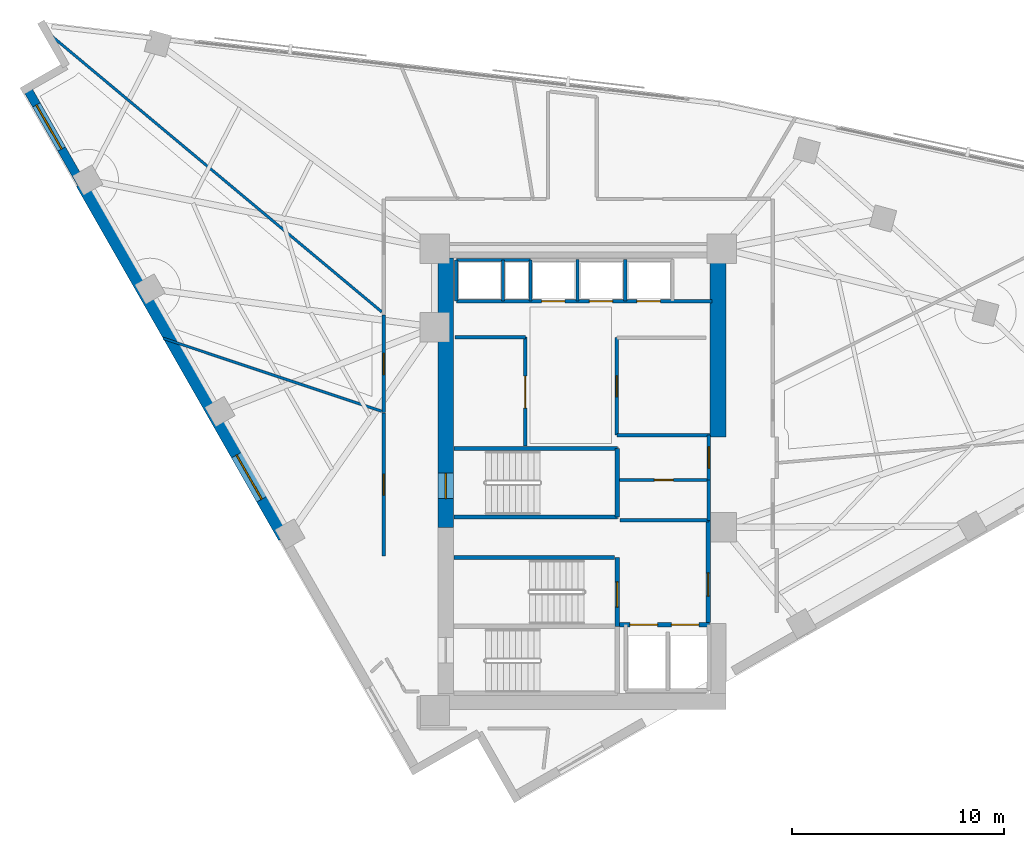
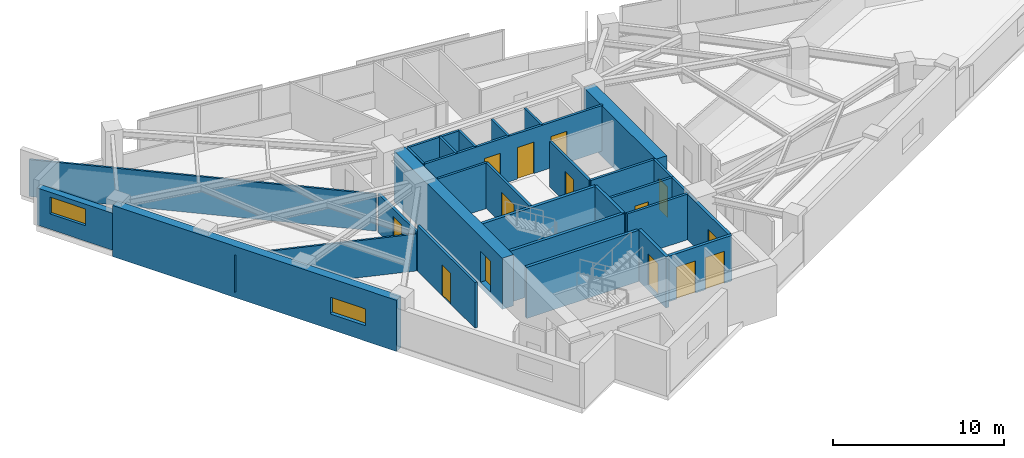
# One storey, part 9 of 13: 30 walls, 14 doors, 2 windows, 16 openings.
"""IFC4 building model written with IfcOpenShell, lengths in metres."""

import ifcopenshell
import ifcopenshell.guid

model = None  # the IFC model being written
_history = None  # IfcOwnerHistory: only IFC2X3 demands one
_inside = {}  # id of a spatial element -> (the spatial element, [elements in it])
_under = {}  # id of a project, library or spatial element -> (it, [spatial elements below it])
_declared = {}  # id of a project -> (the project, [libraries it declares])
_typed = {}  # id of a type object -> (the type object, [elements of that type])
_made_of = {}  # id of a material, layer set ... -> (it, [elements and type objects made of it])


def new_model(schema):
    """Start an empty IFC model of exactly this schema.

    Asked for "IFC4X3", IfcOpenShell would pick the latest addendum, in which some entities
    have other attributes; the version numbers below select the first issue.
    IFC2X3 requires an IfcOwnerHistory on every rooted entity: one is made here for all.
    """
    global model, _history
    if schema == "IFC4X3":
        model = ifcopenshell.file(schema_version=(4, 3, 0, 0))
    else:
        model = ifcopenshell.file(schema=schema)
    _inside.clear()
    _under.clear()
    _declared.clear()
    _typed.clear()
    _made_of.clear()
    _history = None
    if model.schema == "IFC2X3":
        org = make("IfcOrganization", Name="unknown")
        user = make(
            "IfcPersonAndOrganization",
            ThePerson=make("IfcPerson", FamilyName="unknown"),
            TheOrganization=org,
        )
        app = make(
            "IfcApplication",
            ApplicationDeveloper=org,
            Version="unknown",
            ApplicationFullName="unknown",
            ApplicationIdentifier="unknown",
        )
        _history = make(
            "IfcOwnerHistory",
            OwningUser=user,
            OwningApplication=app,
            ChangeAction="ADDED",
            CreationDate=0,
        )
    return model


def make(cls, **values):
    """One entity of the class cls with the attributes given. An attribute that is None is left unset."""
    return model.create_entity(
        cls, **{name: value for name, value in values.items() if value is not None}
    )


def rooted(cls, **values):
    """An entity with a GlobalId (a new one), such as an element, a storey or a relation."""
    return make(cls, GlobalId=ifcopenshell.guid.new(), OwnerHistory=_history, **values)


def si_unit(unit_type, name, prefix=None):
    """IfcSIUnit, for example si_unit("LENGTHUNIT", "METRE", prefix="MILLI")."""
    return make("IfcSIUnit", UnitType=unit_type, Prefix=prefix, Name=name)


def assignment(units):
    """IfcUnitAssignment: the units of a project."""
    return None if units is None else make("IfcUnitAssignment", Units=units)


def point(xyz):
    """IfcCartesianPoint."""
    return None if xyz is None else make("IfcCartesianPoint", Coordinates=xyz)


def direction(xyz):
    """IfcDirection."""
    return None if xyz is None else make("IfcDirection", DirectionRatios=xyz)


def frame(location, z_axis=None, x_axis=None):
    """IfcAxis2Placement3D, a coordinate frame: its origin and axes. An axis left out is left unset."""
    return make(
        "IfcAxis2Placement3D",
        Location=point(location),
        Axis=direction(z_axis),
        RefDirection=direction(x_axis),
    )


def frame_2d(location, x_axis=None):
    """IfcAxis2Placement2D, a coordinate frame in the plane: its origin and x axis."""
    return make(
        "IfcAxis2Placement2D", Location=point(location), RefDirection=direction(x_axis)
    )


def origin():
    """The frame at (0, 0, 0) with its axes left unset."""
    return frame((0.0, 0.0, 0.0))


def place(relative_to, where):
    """IfcLocalPlacement: puts the frame where relative to a parent placement (None: the world)."""
    return make(
        "IfcLocalPlacement", PlacementRelTo=relative_to, RelativePlacement=where
    )


def context(
    kind, dimensions, precision=None, world=None, true_north=None, identifier=None
):
    """IfcGeometricRepresentationContext, for example the 3D "Model" context."""
    return make(
        "IfcGeometricRepresentationContext",
        ContextIdentifier=identifier,
        ContextType=kind,
        CoordinateSpaceDimension=dimensions,
        Precision=precision,
        WorldCoordinateSystem=world,
        TrueNorth=true_north,
    )


def subcontext(parent, identifier, kind, view, scale=None):
    """IfcGeometricRepresentationSubContext, for example "Body" below "Model"."""
    return make(
        "IfcGeometricRepresentationSubContext",
        ContextIdentifier=identifier,
        ContextType=kind,
        ParentContext=parent,
        TargetScale=scale,
        TargetView=view,
    )


def project(units=None, contexts=None):
    """IfcProject with its units and contexts."""
    return rooted(
        "IfcProject",
        Name="project",
        RepresentationContexts=contexts,
        UnitsInContext=assignment(units),
    )


def spatial(cls, under=None, at=None, **own):
    """A site, building, storey or space (cls), placed at a placement, below another one or the project."""
    s = rooted(cls, ObjectPlacement=at, **own)
    if under is not None:
        _under.setdefault(under.id(), (under, []))[1].append(s)
    return s


def profile(cls, at=None, kind="AREA", **sizes):
    """A parametric profile (cls). Its sizes go by their IFC names, for example OverallWidth=200.0."""
    return make(cls, ProfileType=kind, Position=at, **sizes)


def rectangle(**sizes):
    """IfcRectangleProfileDef."""
    return profile("IfcRectangleProfileDef", **sizes)


def extrude(swept, where, along, depth):
    """IfcExtrudedAreaSolid: the profile swept, set in the frame where, extruded along a direction by depth."""
    return make(
        "IfcExtrudedAreaSolid",
        SweptArea=swept,
        Position=where,
        ExtrudedDirection=direction(along),
        Depth=depth,
    )


def shape(context_of_items, identifier, shape_type, items):
    """IfcShapeRepresentation: the items that make up one representation, for example the "Body"."""
    return make(
        "IfcShapeRepresentation",
        ContextOfItems=context_of_items,
        RepresentationIdentifier=identifier,
        RepresentationType=shape_type,
        Items=items,
    )


def material(Name=None, Category=None):
    """IfcMaterial."""
    return make("IfcMaterial", Name=Name, Category=Category)


def layer(
    of_material, thickness, ventilated=None, Name=None, Category=None, Priority=None
):
    """IfcMaterialLayer: one layer of a wall or slab, of a material (None: an air gap)."""
    return make(
        "IfcMaterialLayer",
        Material=of_material,
        LayerThickness=thickness,
        IsVentilated=ventilated,
        Name=Name,
        Category=Category,
        Priority=Priority,
    )


def layer_set(layers, Name=None):
    """IfcMaterialLayerSet."""
    return make("IfcMaterialLayerSet", MaterialLayers=layers, LayerSetName=Name)


def made_of(thing, what):
    """Note that an element or type object is made of a material, layer set ...; save() writes the relation."""
    if what is not None:
        _made_of.setdefault(what.id(), (what, []))[1].append(thing)
    return thing


def type_object(cls, material=None, **own):
    """A type object (cls), such as IfcWallType, which elements share."""
    return made_of(rooted(cls, **own), material)


def element(
    cls,
    number,
    at=None,
    inside=None,
    cuts=None,
    type_object=None,
    material=None,
    context=None,
    identifier="Body",
    shape_type=None,
    held_by="IfcProductDefinitionShape",
    body=None,
    shapes=None,
    **own,
):
    """One element of the class cls, such as IfcWall. Its Tag is "e" and its number.

    at: its placement. inside: the storey or other place that contains it. cuts: it is an
    opening in that element (IfcRelVoidsElement). A single representation is given by context,
    identifier, shape_type and body (its items); several are given by shapes. held_by: the class
    of the entity that holds the representations. save() writes the other relations.
    """
    e = rooted(cls, Tag="e%d" % number, ObjectPlacement=at, **own)
    if body is not None:
        shapes = [shape(context, identifier, shape_type, body)]
    if shapes is not None:
        e.Representation = make(held_by, Representations=shapes)
    if inside is not None:
        _inside.setdefault(inside.id(), (inside, []))[1].append(e)
    if cuts is not None:
        rooted(
            "IfcRelVoidsElement", RelatingBuildingElement=cuts, RelatedOpeningElement=e
        )
    if type_object is not None:
        _typed.setdefault(type_object.id(), (type_object, []))[1].append(e)
    return made_of(e, material)


def fill(opening, filler):
    """IfcRelFillsElement: the door or window that sits in an opening."""
    return rooted(
        "IfcRelFillsElement",
        RelatingOpeningElement=opening,
        RelatedBuildingElement=filler,
    )


def aggregate(whole, parts):
    """IfcRelAggregates: a whole, such as a stair, and the parts it consists of."""
    return rooted("IfcRelAggregates", RelatingObject=whole, RelatedObjects=parts)


def save(model, path):
    """Write the relations noted so far, then the file.

    IfcRelAggregates (storeys below a building ...), IfcRelContainedInSpatialStructure (elements
    in a storey), IfcRelDefinesByType, IfcRelAssociatesMaterial and IfcRelDeclares: one each for
    every whole, place, type object, material and project.
    """
    for whole, parts in _under.values():
        aggregate(whole, parts)
    for where, things in _inside.values():
        rooted(
            "IfcRelContainedInSpatialStructure",
            RelatedElements=things,
            RelatingStructure=where,
        )
    for kind, things in _typed.values():
        rooted("IfcRelDefinesByType", RelatedObjects=things, RelatingType=kind)
    for what, things in _made_of.values():
        rooted("IfcRelAssociatesMaterial", RelatedObjects=things, RelatingMaterial=what)
    for by, libraries in _declared.values():
        rooted("IfcRelDeclares", RelatingContext=by, RelatedDefinitions=libraries)
    model.write(path)


model = new_model("IFC4")

# Units and contexts
model_context = context("Model", 3, precision=1e-05, world=origin(), true_north=direction((0.0, 1.0)))
body_context = subcontext(model_context, "Body", "Model", "MODEL_VIEW")
ifc_project = project(units=[si_unit("LENGTHUNIT", "METRE"), si_unit("AREAUNIT", "SQUARE_METRE"), si_unit("VOLUMEUNIT", "CUBIC_METRE"), si_unit("PLANEANGLEUNIT", "RADIAN"), si_unit("MASSUNIT", "GRAM", prefix="KILO")], contexts=[model_context])

# Site, building, storey
site_placement = place(None, origin())
site = spatial("IfcSite", under=ifc_project, at=site_placement, CompositionType="ELEMENT")
building_placement = place(site_placement, origin())
building = spatial("IfcBuilding", under=site, at=building_placement, Name="Narakoshi Arena Tower", CompositionType="ELEMENT")
storey_placement = place(building_placement, frame((0.0, 0.0, 200.89990234375)))
storey = spatial("IfcBuildingStorey", under=building, at=storey_placement, Name="L54", CompositionType="ELEMENT", Elevation=200.89990234375)

# Wall, opening, door
ifc_material_1 = material(Name="Concrete C50/60", Category="concrete")
ifc_layer_1 = layer(ifc_material_1, 0.75)
ifc_layer_set_1 = layer_set([ifc_layer_1], Name="Concrete C50/60")
wall_type_1 = type_object("IfcWallType", Name="WL-CORE-750", PredefinedType="SHEAR", material=ifc_layer_set_1)
wall_1_placement = place(storey_placement, frame((72.52490234375, 43.35009765625, -0.39990234375), z_axis=(0.0, 0.0, 1.0), x_axis=(0.0, 1.0, 0.0)))
wall_1 = element("IfcWall", 1, at=wall_1_placement, inside=storey, type_object=wall_type_1, Name="L54 Main Core Shear Wall CW-MN-W", PredefinedType="SHEAR", context=body_context, shape_type="SweptSolid", body=[
    extrude(rectangle(XDim=12.699951171875, YDim=0.75, at=frame_2d((6.35009765625, 0.0))), origin(), (0.0, 0.0, 1.0), 3.659912109375),
])
opening_1_placement = place(wall_1_placement, frame((1.35009765625, 0.0, 0.39990234375)))
opening_1 = element("IfcOpeningElement", 2, at=opening_1_placement, cuts=wall_1, Name="Opening D-03", PredefinedType="OPENING", context=body_context, shape_type="SweptSolid", body=[
    extrude(rectangle(XDim=1.199951171875, YDim=2.199951171875, at=frame_2d((0.60009765625, 1.10009765625))), frame((0.0, 0.385009765625, 0.0), z_axis=(0.0, -1.0, 0.0), x_axis=(1.0, 0.0, 0.0)), (0.0, 0.0, 1.0), 0.77001953125),
])
ifc_material_2 = material(Name="Painted galvanized steel", Category="steel")
door_type_1 = type_object("IfcDoorType", Name="DR-STR-1200", OperationType="NOTDEFINED", PredefinedType="USERDEFINED", material=ifc_material_2)
door_1_placement = place(opening_1_placement, frame((1.199951171875, 0.0, 0.0), z_axis=(0.0, 0.0, 1.0), x_axis=(-1.0, 0.0, 0.0)))
door_1 = element("IfcDoor", 3, at=door_1_placement, inside=storey, type_object=door_type_1, Name="DR-L54-006", ObjectType="EXITDOOR", OperationType="SINGLE_SWING_LEFT", OverallHeight=2.199951171875, OverallWidth=1.199951171875, PredefinedType="USERDEFINED", context=body_context, shape_type="SweptSolid", body=[
    extrude(rectangle(XDim=1.199951171875, YDim=2.199951171875, at=frame_2d((0.60009765625, 1.10009765625))), frame((0.0, 0.02490234375, 0.0), z_axis=(0.0, -1.0, 0.0), x_axis=(1.0, 0.0, 0.0)), (0.0, 0.0, 1.0), 0.050048828125),
])
fill(opening_1, door_1)

# Wall
wall_2_placement = place(storey_placement, frame((85.375, 47.60009765625, -0.39990234375), z_axis=(0.0, 0.0, 1.0), x_axis=(0.0, 1.0, 0.0)))
element("IfcWall", 4, at=wall_2_placement, inside=storey, type_object=wall_type_1, Name="L54 Main Core Shear Wall CW-MN-E", PredefinedType="SHEAR", context=body_context, shape_type="SweptSolid", body=[
    extrude(rectangle(XDim=8.449951171875, YDim=0.75, at=frame_2d((4.22509765625, 0.0))), origin(), (0.0, 0.0, 1.0), 3.659912109375),
])

# Wall, opening, door
ifc_material_3 = material(Name="Gypsum plasterboard fire-rated partition")
ifc_layer_2 = layer(ifc_material_3, 0.1650390625)
ifc_layer_set_2 = layer_set([ifc_layer_2], Name="Gypsum plasterboard fire-rated partition")
wall_type_2 = type_object("IfcWallType", Name="WL-CORR-165", PredefinedType="PARTITIONING", material=ifc_layer_set_2)
wall_3_placement = place(storey_placement, frame((84.949951171875, 45.580078125, 0.0), z_axis=(0.0, 0.0, 1.0), x_axis=(0.0, 1.0, 0.0)))
wall_3 = element("IfcWall", 5, at=wall_3_placement, inside=storey, type_object=wall_type_2, Name="L54 Core Wall CPAS-E", PredefinedType="PARTITIONING", context=body_context, shape_type="SweptSolid", body=[
    extrude(rectangle(XDim=2.119873046875, YDim=0.1650390625, at=frame_2d((1.06005859375, 0.0))), origin(), (0.0, 0.0, 1.0), 3.260009765625),
])
opening_2_placement = place(wall_3_placement, frame((0.56005859375, 0.0, 0.0)))
opening_2 = element("IfcOpeningElement", 6, at=opening_2_placement, cuts=wall_3, Name="Opening D-06", PredefinedType="OPENING", context=body_context, shape_type="SweptSolid", body=[
    extrude(rectangle(XDim=1.0, YDim=2.199951171875, at=frame_2d((0.5, 1.10009765625))), frame((0.0, 0.092529296875, 0.0), z_axis=(0.0, -1.0, 0.0), x_axis=(1.0, 0.0, 0.0)), (0.0, 0.0, 1.0), 0.18505859375),
])
ifc_material_4 = material(Name="Stained oak solid-core timber", Category="wood")
door_type_2 = type_object("IfcDoorType", Name="DR-OFF-1000", OperationType="NOTDEFINED", PredefinedType="DOOR", material=ifc_material_4)
door_2_placement = place(opening_2_placement, frame((1.0, 0.0, 0.0), z_axis=(0.0, 0.0, 1.0), x_axis=(-1.0, 0.0, 0.0)))
door_2 = element("IfcDoor", 7, at=door_2_placement, inside=storey, type_object=door_type_2, Name="DR-L54-007", OperationType="SINGLE_SWING_LEFT", OverallHeight=2.199951171875, OverallWidth=1.0, PredefinedType="DOOR", context=body_context, shape_type="SweptSolid", body=[
    extrude(rectangle(XDim=1.0, YDim=2.199951171875, at=frame_2d((0.5, 1.10009765625))), frame((0.0, 0.02490234375, 0.0), z_axis=(0.0, -1.0, 0.0), x_axis=(1.0, 0.0, 0.0)), (0.0, 0.0, 1.0), 0.050048828125),
])
fill(opening_2, door_2)

wall_4_placement = place(storey_placement, frame((69.594482421875, 53.3623046875, 0.0), z_axis=(0.0, 0.0, 1.0), x_axis=(0.0, -1.0, 0.0)))
wall_4 = element("IfcWall", 8, at=wall_4_placement, inside=storey, type_object=wall_type_2, Name="L54 Corridor Partition 08-1", PredefinedType="PARTITIONING", context=body_context, shape_type="SweptSolid", body=[
    extrude(rectangle(XDim=4.603515625, YDim=0.1650390625, at=frame_2d((2.3017578125, 0.0))), origin(), (0.0, 0.0, 1.0), 2.7451171875),
])
opening_3_placement = place(wall_4_placement, frame((1.8017578125, 0.0, 0.0)))
opening_3 = element("IfcOpeningElement", 9, at=opening_3_placement, cuts=wall_4, Name="Opening D-06", PredefinedType="OPENING", context=body_context, shape_type="SweptSolid", body=[
    extrude(rectangle(XDim=1.0, YDim=2.199951171875, at=frame_2d((0.5, 1.10009765625))), frame((0.0, 0.092529296875, 0.0), z_axis=(0.0, -1.0, 0.0), x_axis=(1.0, 0.0, 0.0)), (0.0, 0.0, 1.0), 0.18505859375),
])
door_3_placement = place(opening_3_placement, frame((1.0, 0.0, 0.0), z_axis=(0.0, 0.0, 1.0), x_axis=(-1.0, 0.0, 0.0)))
door_3 = element("IfcDoor", 10, at=door_3_placement, inside=storey, type_object=door_type_2, Name="DR-L54-021", OperationType="SINGLE_SWING_LEFT", OverallHeight=2.199951171875, OverallWidth=1.0, PredefinedType="DOOR", context=body_context, shape_type="SweptSolid", body=[
    extrude(rectangle(XDim=1.0, YDim=2.199951171875, at=frame_2d((0.5, 1.10009765625))), frame((0.0, 0.02490234375, 0.0), z_axis=(0.0, -1.0, 0.0), x_axis=(1.0, 0.0, 0.0)), (0.0, 0.0, 1.0), 0.050048828125),
])
fill(opening_3, door_3)

wall_5_placement = place(storey_placement, frame((69.594482421875, 48.7333984375, 0.0), z_axis=(0.0, 0.0, 1.0), x_axis=(0.0, -1.0, 0.0)))
wall_5 = element("IfcWall", 11, at=wall_5_placement, inside=storey, type_object=wall_type_2, Name="L54 Corridor Partition 09-1", PredefinedType="PARTITIONING", context=body_context, shape_type="SweptSolid", body=[
    extrude(rectangle(XDim=6.739013671875, YDim=0.1650390625, at=frame_2d((3.36962890625, 0.0))), origin(), (0.0, 0.0, 1.0), 3.260009765625),
])
opening_4_placement = place(wall_5_placement, frame((2.869384765625, 0.0, 0.0)))
opening_4 = element("IfcOpeningElement", 12, at=opening_4_placement, cuts=wall_5, Name="Opening D-06", PredefinedType="OPENING", context=body_context, shape_type="SweptSolid", body=[
    extrude(rectangle(XDim=1.0, YDim=2.199951171875, at=frame_2d((0.5, 1.10009765625))), frame((0.0, 0.092529296875, 0.0), z_axis=(0.0, -1.0, 0.0), x_axis=(1.0, 0.0, 0.0)), (0.0, 0.0, 1.0), 0.18505859375),
])
door_4_placement = place(opening_4_placement, frame((1.0, 0.0, 0.0), z_axis=(0.0, 0.0, 1.0), x_axis=(-1.0, 0.0, 0.0)))
door_4 = element("IfcDoor", 13, at=door_4_placement, inside=storey, type_object=door_type_2, Name="DR-L54-022", OperationType="SINGLE_SWING_RIGHT", OverallHeight=2.199951171875, OverallWidth=1.0, PredefinedType="DOOR", context=body_context, shape_type="SweptSolid", body=[
    extrude(rectangle(XDim=1.0, YDim=2.199951171875, at=frame_2d((0.5, 1.10009765625))), frame((0.0, 0.02490234375, 0.0), z_axis=(0.0, -1.0, 0.0), x_axis=(1.0, 0.0, 0.0)), (0.0, 0.0, 1.0), 0.050048828125),
])
fill(opening_4, door_4)

# Wall, opening, window
ifc_layer_3 = layer(ifc_material_1, 0.550048828125)
ifc_layer_set_3 = layer_set([ifc_layer_3], Name="Concrete C50/60")
wall_type_3 = type_object("IfcWallType", Name="WL-LEG-550", PredefinedType="SHEAR", material=ifc_layer_set_3)
wall_6_placement = place(storey_placement, frame((55.3251953125, 59.5703125, -0.39990234375), z_axis=(0.0, 0.0, 1.0), x_axis=(0.496211351597, -0.868201759124, 0.0)))
wall_6 = element("IfcWall", 14, at=wall_6_placement, inside=storey, type_object=wall_type_3, Name="L54 Architectural Concrete Structural Wall LEGB-2", PredefinedType="SHEAR", context=body_context, shape_type="SweptSolid", body=[
    extrude(rectangle(XDim=19.242919921875, YDim=0.550048828125, at=frame_2d((9.62158203125, 0.0))), origin(), (0.0, 0.0, 1.0), 3.659912109375),
])
opening_5_placement = place(wall_6_placement, frame((14.7568359375, 0.0, 1.10009765625)))
opening_5 = element("IfcOpeningElement", 15, at=opening_5_placement, cuts=wall_6, Name="Opening WN-04", PredefinedType="OPENING", context=body_context, shape_type="SweptSolid", body=[
    extrude(rectangle(XDim=2.39990234375, YDim=1.199951171875, at=frame_2d((1.199951171875, 0.60009765625))), frame((0.0, 0.284912109375, 0.0), z_axis=(0.0, -1.0, 0.0), x_axis=(1.0, 0.0, 0.0)), (0.0, 0.0, 1.0), 0.570068359375),
])
ifc_material_5 = material(Name="Bronze-tinted low-E laminated glass", Category="glass")
window_type = type_object("IfcWindowType", Name="WIN-SLT-24x12", PartitioningType="SINGLE_PANEL", PredefinedType="WINDOW", material=ifc_material_5)
window_1_placement = place(opening_5_placement, origin())
window_1 = element("IfcWindow", 16, at=window_1_placement, inside=storey, type_object=window_type, Name="L54 LEGB2 Horizontal Slot Window 1", OverallHeight=1.199951171875, OverallWidth=2.39990234375, PartitioningType="SINGLE_PANEL", PredefinedType="WINDOW", context=body_context, shape_type="SweptSolid", body=[
    extrude(rectangle(XDim=2.39990234375, YDim=1.199951171875, at=frame_2d((1.199951171875, 0.60009765625))), frame((0.0, 0.030029296875, 0.0), z_axis=(0.0, -1.0, 0.0), x_axis=(1.0, 0.0, 0.0)), (0.0, 0.0, 1.0), 0.06005859375),
])
fill(opening_5, window_1)

# Walls
ifc_layer_4 = layer(ifc_material_3, 0.125)
ifc_layer_set_4 = layer_set([ifc_layer_4], Name="Gypsum plasterboard fire-rated partition")
wall_type_4 = type_object("IfcWallType", Name="WL-PART-125", PredefinedType="PARTITIONING", material=ifc_layer_set_4)
wall_7_placement = place(storey_placement, frame((69.5, 53.519775390625, 0.0), z_axis=(0.0, 0.0, 1.0), x_axis=(-0.767399812489, 0.641168876188, 0.0)))
element("IfcWall", 17, at=wall_7_placement, inside=storey, type_object=wall_type_4, Name="L54 Inter-Room Partition 06-08", PredefinedType="PARTITIONING", context=body_context, shape_type="SweptSolid", body=[
    extrude(rectangle(XDim=20.625, YDim=0.125, at=frame_2d((10.3125, 0.0))), origin(), (0.0, 0.0, 1.0), 2.64501953125),
])
wall_8_placement = place(storey_placement, frame((69.5, 48.828125, 0.0), z_axis=(0.0, 0.0, 1.0), x_axis=(-0.948600230004, 0.31647686114, 0.0)))
element("IfcWall", 18, at=wall_8_placement, inside=storey, type_object=wall_type_4, Name="L54 Inter-Room Partition 08-09", PredefinedType="PARTITIONING", context=body_context, shape_type="SweptSolid", body=[
    extrude(rectangle(XDim=10.878662109375, YDim=0.125, at=frame_2d((5.439453125, 0.0))), origin(), (0.0, 0.0, 1.0), 2.64501953125),
])

# Wall, opening, window
ifc_material_6 = material(Name="Precast concrete C45/55", Category="concrete")
ifc_layer_5 = layer(ifc_material_6, 0.419921875)
ifc_layer_set_5 = layer_set([ifc_layer_5], Name="Precast concrete C45/55")
wall_type_5 = type_object("IfcWallType", Name="WL-POD-420", PredefinedType="SOLIDWALL", material=ifc_layer_set_5)
wall_9_placement = place(storey_placement, frame((52.75439453125, 64.068359375, 0.0), z_axis=(0.0, 0.0, 1.0), x_axis=(0.496209984367, -0.868202540548, 0.0)))
wall_9 = element("IfcWall", 19, at=wall_9_placement, inside=storey, type_object=wall_type_5, Name="L54 Architectural Concrete Facade Wall LEGB-1", PredefinedType="SOLIDWALL", context=body_context, shape_type="SweptSolid", body=[
    extrude(rectangle(XDim=5.180908203125, YDim=0.419921875, at=frame_2d((2.59033203125, 0.0))), origin(), (0.0, 0.0, 1.0), 2.64501953125),
])
opening_6_placement = place(wall_9_placement, frame((0.89990234375, 0.0, 1.10009765625)))
opening_6 = element("IfcOpeningElement", 20, at=opening_6_placement, cuts=wall_9, Name="Opening WN-04", PredefinedType="OPENING", context=body_context, shape_type="SweptSolid", body=[
    extrude(rectangle(XDim=2.39990234375, YDim=1.199951171875, at=frame_2d((1.199951171875, 0.60009765625))), frame((0.0, 0.219970703125, 0.0), z_axis=(0.0, -1.0, 0.0), x_axis=(1.0, 0.0, 0.0)), (0.0, 0.0, 1.0), 0.43994140625),
])
window_2_placement = place(opening_6_placement, origin())
window_2 = element("IfcWindow", 21, at=window_2_placement, inside=storey, type_object=window_type, Name="L54 LEGB1 Horizontal Slot Window 1", OverallHeight=1.199951171875, OverallWidth=2.39990234375, PartitioningType="SINGLE_PANEL", PredefinedType="WINDOW", context=body_context, shape_type="SweptSolid", body=[
    extrude(rectangle(XDim=2.39990234375, YDim=1.199951171875, at=frame_2d((1.199951171875, 0.60009765625))), frame((0.0, 0.030029296875, 0.0), z_axis=(0.0, -1.0, 0.0), x_axis=(1.0, 0.0, 0.0)), (0.0, 0.0, 1.0), 0.06005859375),
])
fill(opening_6, window_2)

# Wall
ifc_material_7 = material(Name="Concrete C40/50", Category="concrete")
ifc_layer_6 = layer(ifc_material_7, 0.280029296875)
ifc_layer_set_6 = layer_set([ifc_layer_6], Name="Concrete C40/50")
wall_type_6 = type_object("IfcWallType", Name="WL-RISER-280", PredefinedType="PLUMBINGWALL", material=ifc_layer_set_6)
wall_10_placement = place(storey_placement, frame((84.949951171875, 43.679931640625, 0.0), z_axis=(0.0, 0.0, 1.0), x_axis=(0.0, 1.0, 0.0)))
element("IfcWall", 22, at=wall_10_placement, inside=storey, type_object=wall_type_6, Name="L54 Core Wall RSR-E", PredefinedType="PLUMBINGWALL", context=body_context, shape_type="SweptSolid", body=[
    extrude(rectangle(XDim=1.900146484375, YDim=0.1650390625, at=frame_2d((0.9501953125, 0.0))), origin(), (0.0, 0.0, 1.0), 3.260009765625),
])

# Wall, opening, door
wall_11_placement = place(storey_placement, frame((80.719970703125, 45.580078125, 0.0), z_axis=(0.0, 0.0, 1.0), x_axis=(1.0, 0.0, 0.0)))
wall_11 = element("IfcWall", 23, at=wall_11_placement, inside=storey, type_object=wall_type_6, Name="L54 Core Wall RSR-N", PredefinedType="PLUMBINGWALL", context=body_context, shape_type="SweptSolid", body=[
    extrude(rectangle(XDim=4.22998046875, YDim=0.159912109375, at=frame_2d((2.114990234375, 0.0))), origin(), (0.0, 0.0, 1.0), 3.260009765625),
])
opening_7_placement = place(wall_11_placement, frame((1.64990234375, 0.0, 0.0)))
opening_7 = element("IfcOpeningElement", 24, at=opening_7_placement, cuts=wall_11, Name="Opening D-08", PredefinedType="OPENING", context=body_context, shape_type="SweptSolid", body=[
    extrude(rectangle(XDim=0.89990234375, YDim=2.10009765625, at=frame_2d((0.449951171875, 1.050048828125))), frame((0.0, 0.08984375, 0.0), z_axis=(0.0, -1.0, 0.0), x_axis=(1.0, 0.0, 0.0)), (0.0, 0.0, 1.0), 0.179931640625),
])
ifc_material_8 = material(Name="Moisture-resistant laminate timber", Category="wood")
door_type_3 = type_object("IfcDoorType", Name="DR-WC-900", OperationType="NOTDEFINED", PredefinedType="DOOR", material=ifc_material_8)
door_5_placement = place(opening_7_placement, frame((0.89990234375, 0.0, 0.0), z_axis=(0.0, 0.0, 1.0), x_axis=(-1.0, 0.0, 0.0)))
door_5 = element("IfcDoor", 25, at=door_5_placement, inside=storey, type_object=door_type_3, Name="DR-L54-008", OperationType="SINGLE_SWING_LEFT", OverallHeight=2.10009765625, OverallWidth=0.89990234375, PredefinedType="DOOR", context=body_context, shape_type="SweptSolid", body=[
    extrude(rectangle(XDim=0.89990234375, YDim=2.10009765625, at=frame_2d((0.449951171875, 1.050048828125))), frame((0.0, 0.02490234375, 0.0), z_axis=(0.0, -1.0, 0.0), x_axis=(1.0, 0.0, 0.0)), (0.0, 0.0, 1.0), 0.050048828125),
])
fill(opening_7, door_5)

# Walls
wall_12_placement = place(storey_placement, frame((80.760009765625, 43.679931640625, 0.0), z_axis=(0.0, 0.0, 1.0), x_axis=(1.0, 0.0, 0.0)))
element("IfcWall", 26, at=wall_12_placement, inside=storey, type_object=wall_type_6, Name="L54 Core Wall RSR-S", PredefinedType="PLUMBINGWALL", context=body_context, shape_type="SweptSolid", body=[
    extrude(rectangle(XDim=4.18994140625, YDim=0.159912109375, at=frame_2d((2.094970703125, 0.0))), origin(), (0.0, 0.0, 1.0), 3.260009765625),
])
for number, where, z_axis, x_axis, name in (
    (27, (73.02001953125, 54.02001953125, 0.0), (0.0, 0.0, 1.0), (0.0, 1.0, 0.0), "L54 Core Wall OBS-W"),
    (28, (75.219970703125, 54.02001953125, 0.0), (0.0, 0.0, 1.0), (0.0, 1.0, 0.0), "L54 Core Wall OBS-M"),
):
    element("IfcWall", number, at=place(storey_placement, frame(where, z_axis=z_axis, x_axis=x_axis)), inside=storey, type_object=wall_type_6, Name=name, PredefinedType="PLUMBINGWALL", context=body_context, shape_type="SweptSolid", body=[
        extrude(rectangle(XDim=1.93994140625, YDim=0.14990234375, at=frame_2d((0.969970703125, 0.0))), origin(), (0.0, 0.0, 1.0), 3.260009765625),
    ])
for number, where, z_axis, x_axis, name in (
    (29, (78.75, 54.02001953125, 0.0), (0.0, 0.0, 1.0), (0.0, 1.0, 0.0), "L54 Core Wall HR-D1"),
    (30, (81.0, 54.02001953125, 0.0), (0.0, 0.0, 1.0), (0.0, 1.0, 0.0), "L54 Core Wall HR-D2"),
):
    element("IfcWall", number, at=place(storey_placement, frame(where, z_axis=z_axis, x_axis=x_axis)), inside=storey, type_object=wall_type_6, Name=name, PredefinedType="PLUMBINGWALL", context=body_context, shape_type="SweptSolid", body=[
        extrude(rectangle(XDim=1.9599609375, YDim=0.14990234375, at=frame_2d((0.97998046875, 0.0))), origin(), (0.0, 0.0, 1.0), 3.260009765625),
    ])

# Wall, opening, door
ifc_layer_7 = layer(ifc_material_1, 0.35009765625)
ifc_layer_set_7 = layer_set([ifc_layer_7], Name="Concrete C50/60")
wall_type_7 = type_object("IfcWallType", Name="WL-SHAFT-350", PredefinedType="SOLIDWALL", material=ifc_layer_set_7)
wall_13_placement = place(storey_placement, frame((80.6201171875, 38.675048828125, -0.39990234375), z_axis=(0.0, 0.0, 1.0), x_axis=(0.0, 1.0, 0.0)))
wall_13 = element("IfcWall", 31, at=wall_13_placement, inside=storey, type_object=wall_type_7, Name="L54 Core Wall ST2-E", PredefinedType="SOLIDWALL", context=body_context, shape_type="SweptSolid", body=[
    extrude(rectangle(XDim=3.244873046875, YDim=0.199951171875, at=frame_2d((1.62255859375, 0.0))), origin(), (0.0, 0.0, 1.0), 3.659912109375),
])
opening_8_placement = place(wall_13_placement, frame((0.89990234375, 0.0, 0.39990234375)))
opening_8 = element("IfcOpeningElement", 32, at=opening_8_placement, cuts=wall_13, Name="Opening D-03", PredefinedType="OPENING", context=body_context, shape_type="SweptSolid", body=[
    extrude(rectangle(XDim=1.199951171875, YDim=2.199951171875, at=frame_2d((0.60009765625, 1.10009765625))), frame((0.0, 0.10986328125, 0.0), z_axis=(0.0, -1.0, 0.0), x_axis=(1.0, 0.0, 0.0)), (0.0, 0.0, 1.0), 0.219970703125),
])
door_6_placement = place(opening_8_placement, origin())
door_6 = element("IfcDoor", 33, at=door_6_placement, inside=storey, type_object=door_type_1, Name="DR-L54-002", ObjectType="EXITDOOR", OperationType="SINGLE_SWING_RIGHT", OverallHeight=2.199951171875, OverallWidth=1.199951171875, PredefinedType="USERDEFINED", context=body_context, shape_type="SweptSolid", body=[
    extrude(rectangle(XDim=1.199951171875, YDim=2.199951171875, at=frame_2d((0.60009765625, 1.10009765625))), frame((0.0, 0.02490234375, 0.0), z_axis=(0.0, -1.0, 0.0), x_axis=(1.0, 0.0, 0.0)), (0.0, 0.0, 1.0), 0.050048828125),
])
fill(opening_8, door_6)

# Wall, openings, doors
wall_14_placement = place(storey_placement, frame((80.719970703125, 38.75, 0.0), z_axis=(0.0, 0.0, 1.0), x_axis=(1.0, 0.0, 0.0)))
wall_14 = element("IfcWall", 34, at=wall_14_placement, inside=storey, type_object=wall_type_7, Name="L54 Core Wall FF-N", PredefinedType="SOLIDWALL", context=body_context, shape_type="SweptSolid", body=[
    extrude(rectangle(XDim=4.260009765625, YDim=0.199951171875, at=frame_2d((2.1298828125, 0.0))), origin(), (0.0, 0.0, 1.0), 3.260009765625),
])
opening_9_placement = place(wall_14_placement, frame((0.5, 0.0, 0.0)))
opening_9 = element("IfcOpeningElement", 35, at=opening_9_placement, cuts=wall_14, Name="Opening LD-02", PredefinedType="OPENING", context=body_context, shape_type="SweptSolid", body=[
    extrude(rectangle(XDim=1.300048828125, YDim=2.300048828125, at=frame_2d((0.64990234375, 1.14990234375))), frame((0.0, 0.10986328125, 0.0), z_axis=(0.0, -1.0, 0.0), x_axis=(1.0, 0.0, 0.0)), (0.0, 0.0, 1.0), 0.219970703125),
])
opening_10_placement = place(wall_14_placement, frame((2.449951171875, 0.0, 0.0)))
opening_10 = element("IfcOpeningElement", 36, at=opening_10_placement, cuts=wall_14, Name="Opening LD-02", PredefinedType="OPENING", context=body_context, shape_type="SweptSolid", body=[
    extrude(rectangle(XDim=1.300048828125, YDim=2.300048828125, at=frame_2d((0.64990234375, 1.14990234375))), frame((0.0, 0.10986328125, 0.0), z_axis=(0.0, -1.0, 0.0), x_axis=(1.0, 0.0, 0.0)), (0.0, 0.0, 1.0), 0.219970703125),
])
ifc_material_9 = material(Name="Brushed bronze stainless steel", Category="steel")
door_type_4 = type_object("IfcDoorType", Name="DR-LFT-1300", OperationType="DOUBLE_DOOR_SLIDING", PredefinedType="DOOR", material=ifc_material_9)
door_7_placement = place(opening_9_placement, origin())
door_7 = element("IfcDoor", 37, at=door_7_placement, inside=storey, type_object=door_type_4, Name="DR-L54-003", OperationType="DOUBLE_DOOR_SLIDING", OverallHeight=2.300048828125, OverallWidth=1.300048828125, PredefinedType="DOOR", context=body_context, shape_type="SweptSolid", body=[
    extrude(rectangle(XDim=1.300048828125, YDim=2.300048828125, at=frame_2d((0.64990234375, 1.14990234375))), frame((0.0, 0.02490234375, 0.0), z_axis=(0.0, -1.0, 0.0), x_axis=(1.0, 0.0, 0.0)), (0.0, 0.0, 1.0), 0.050048828125),
])
fill(opening_9, door_7)
door_8_placement = place(opening_10_placement, origin())
door_8 = element("IfcDoor", 38, at=door_8_placement, inside=storey, type_object=door_type_4, Name="DR-L54-004", OperationType="DOUBLE_DOOR_SLIDING", OverallHeight=2.300048828125, OverallWidth=1.300048828125, PredefinedType="DOOR", context=body_context, shape_type="SweptSolid", body=[
    extrude(rectangle(XDim=1.300048828125, YDim=2.300048828125, at=frame_2d((0.64990234375, 1.14990234375))), frame((0.0, 0.02490234375, 0.0), z_axis=(0.0, -1.0, 0.0), x_axis=(1.0, 0.0, 0.0)), (0.0, 0.0, 1.0), 0.050048828125),
])
fill(opening_10, door_8)

# Wall, opening, door
wall_15_placement = place(storey_placement, frame((84.919921875, 38.85009765625, 0.0), z_axis=(0.0, 0.0, 1.0), x_axis=(0.0, 1.0, 0.0)))
wall_15 = element("IfcWall", 39, at=wall_15_placement, inside=storey, type_object=wall_type_7, Name="L54 Core Wall FFLOB-E", PredefinedType="SOLIDWALL", context=body_context, shape_type="SweptSolid", body=[
    extrude(rectangle(XDim=4.829833984375, YDim=0.199951171875, at=frame_2d((2.4150390625, 0.0))), origin(), (0.0, 0.0, 1.0), 3.260009765625),
])
opening_11_placement = place(wall_15_placement, frame((1.25, 0.0, 0.0)))
opening_11 = element("IfcOpeningElement", 40, at=opening_11_placement, cuts=wall_15, Name="Opening D-04", PredefinedType="OPENING", context=body_context, shape_type="SweptSolid", body=[
    extrude(rectangle(XDim=1.10009765625, YDim=2.199951171875, at=frame_2d((0.550048828125, 1.10009765625))), frame((0.0, 0.10986328125, 0.0), z_axis=(0.0, -1.0, 0.0), x_axis=(1.0, 0.0, 0.0)), (0.0, 0.0, 1.0), 0.219970703125),
])
door_type_5 = type_object("IfcDoorType", Name="DR-FFL-1100", OperationType="NOTDEFINED", PredefinedType="DOOR", material=ifc_material_2)
door_9_placement = place(opening_11_placement, frame((1.10009765625, 0.0, 0.0), z_axis=(0.0, 0.0, 1.0), x_axis=(-1.0, 0.0, 0.0)))
door_9 = element("IfcDoor", 41, at=door_9_placement, inside=storey, type_object=door_type_5, Name="DR-L54-005", OperationType="SINGLE_SWING_RIGHT", OverallHeight=2.199951171875, OverallWidth=1.10009765625, PredefinedType="DOOR", context=body_context, shape_type="SweptSolid", body=[
    extrude(rectangle(XDim=1.10009765625, YDim=2.199951171875, at=frame_2d((0.550048828125, 1.10009765625))), frame((0.0, 0.02490234375, 0.0), z_axis=(0.0, -1.0, 0.0), x_axis=(1.0, 0.0, 0.0)), (0.0, 0.0, 1.0), 0.050048828125),
])
fill(opening_11, door_9)

# Walls
wall_16_placement = place(storey_placement, frame((72.919921875, 41.919921875, -0.39990234375), z_axis=(0.0, 0.0, 1.0), x_axis=(1.0, 0.0, 0.0)))
element("IfcWall", 42, at=wall_16_placement, inside=storey, type_object=wall_type_7, Name="L54 Core Wall ST2-N", PredefinedType="SOLIDWALL", context=body_context, shape_type="SweptSolid", body=[
    extrude(rectangle(XDim=7.580078125, YDim=0.199951171875, at=frame_2d((3.7900390625, 0.0))), origin(), (0.0, 0.0, 1.0), 3.659912109375),
])
for number, where, z_axis, x_axis, name in (
    (43, (72.919921875, 43.830078125, -0.39990234375), (0.0, 0.0, 1.0), (1.0, 0.0, 0.0), "L54 Core Wall ST3-S"),
    (44, (72.919921875, 47.070068359375, -0.39990234375), (0.0, 0.0, 1.0), (1.0, 0.0, 0.0), "L54 Core Wall ST3-N"),
):
    element("IfcWall", number, at=place(storey_placement, frame(where, z_axis=z_axis, x_axis=x_axis)), inside=storey, type_object=wall_type_7, Name=name, PredefinedType="SOLIDWALL", context=body_context, shape_type="SweptSolid", body=[
        extrude(rectangle(XDim=7.7001953125, YDim=0.199951171875, at=frame_2d((3.85009765625, 0.0))), origin(), (0.0, 0.0, 1.0), 3.659912109375),
    ])
wall_17_placement = place(storey_placement, frame((80.6201171875, 43.830078125, -0.39990234375), z_axis=(0.0, 0.0, 1.0), x_axis=(0.0, 1.0, 0.0)))
element("IfcWall", 45, at=wall_17_placement, inside=storey, type_object=wall_type_7, Name="L54 Core Wall ST3-E", PredefinedType="SOLIDWALL", context=body_context, shape_type="SweptSolid", body=[
    extrude(rectangle(XDim=3.239990234375, YDim=0.199951171875, at=frame_2d((1.6201171875, 0.0))), origin(), (0.0, 0.0, 1.0), 3.659912109375),
])

# Wall, opening, door
wall_18_placement = place(storey_placement, frame((76.280029296875, 47.179931640625, 0.0), z_axis=(0.0, 0.0, 1.0), x_axis=(0.0, 1.0, 0.0)))
wall_18 = element("IfcWall", 46, at=wall_18_placement, inside=storey, type_object=wall_type_7, Name="L54 Core Wall LR-E", PredefinedType="SOLIDWALL", context=body_context, shape_type="SweptSolid", body=[
    extrude(rectangle(XDim=5.14013671875, YDim=0.159912109375, at=frame_2d((2.570068359375, 0.0))), origin(), (0.0, 0.0, 1.0), 3.260009765625),
])
opening_12_placement = place(wall_18_placement, frame((1.800048828125, 0.0, 0.0)))
opening_12 = element("IfcOpeningElement", 47, at=opening_12_placement, cuts=wall_18, Name="Opening D-09", PredefinedType="OPENING", context=body_context, shape_type="SweptSolid", body=[
    extrude(rectangle(XDim=1.5, YDim=2.25, at=frame_2d((0.75, 1.125))), frame((0.0, 0.08984375, 0.0), z_axis=(0.0, -1.0, 0.0), x_axis=(1.0, 0.0, 0.0)), (0.0, 0.0, 1.0), 0.179931640625),
])
door_type_6 = type_object("IfcDoorType", Name="DR-PLT-1500", OperationType="DOUBLE_DOOR_SINGLE_SWING", PredefinedType="DOOR", material=ifc_material_2)
door_10_placement = place(opening_12_placement, frame((1.5, 0.0, 0.0), z_axis=(0.0, 0.0, 1.0), x_axis=(-1.0, 0.0, 0.0)))
door_10 = element("IfcDoor", 48, at=door_10_placement, inside=storey, type_object=door_type_6, Name="DR-L54-009", OperationType="DOUBLE_DOOR_SINGLE_SWING", OverallHeight=2.25, OverallWidth=1.5, PredefinedType="DOOR", context=body_context, shape_type="SweptSolid", body=[
    extrude(rectangle(XDim=1.5, YDim=2.25, at=frame_2d((0.75, 1.125))), frame((0.0, 0.02490234375, 0.0), z_axis=(0.0, -1.0, 0.0), x_axis=(1.0, 0.0, 0.0)), (0.0, 0.0, 1.0), 0.050048828125),
])
fill(opening_12, door_10)

# Wall
wall_19_placement = place(storey_placement, frame((72.949951171875, 52.320068359375, 0.0), z_axis=(0.0, 0.0, 1.0), x_axis=(1.0, 0.0, 0.0)))
element("IfcWall", 49, at=wall_19_placement, inside=storey, type_object=wall_type_7, Name="L54 Core Wall LR-N", PredefinedType="SOLIDWALL", context=body_context, shape_type="SweptSolid", body=[
    extrude(rectangle(XDim=3.330078125, YDim=0.14990234375, at=frame_2d((1.6650390625, 0.0))), origin(), (0.0, 0.0, 1.0), 3.260009765625),
])

# Wall, opening, door
wall_20_placement = place(storey_placement, frame((80.60009765625, 47.699951171875, 0.0), z_axis=(0.0, 0.0, 1.0), x_axis=(0.0, 1.0, 0.0)))
wall_20 = element("IfcWall", 50, at=wall_20_placement, inside=storey, type_object=wall_type_7, Name="L54 Core Wall MR-W", PredefinedType="SOLIDWALL", context=body_context, shape_type="SweptSolid", body=[
    extrude(rectangle(XDim=4.60009765625, YDim=0.159912109375, at=frame_2d((2.300048828125, 0.0))), origin(), (0.0, 0.0, 1.0), 3.260009765625),
])
opening_13_placement = place(wall_20_placement, frame((1.800048828125, 0.0, 0.0)))
opening_13 = element("IfcOpeningElement", 51, at=opening_13_placement, cuts=wall_20, Name="Opening D-06", PredefinedType="OPENING", context=body_context, shape_type="SweptSolid", body=[
    extrude(rectangle(XDim=1.0, YDim=2.199951171875, at=frame_2d((0.5, 1.10009765625))), frame((0.0, 0.08984375, 0.0), z_axis=(0.0, -1.0, 0.0), x_axis=(1.0, 0.0, 0.0)), (0.0, 0.0, 1.0), 0.179931640625),
])
door_11_placement = place(opening_13_placement, origin())
door_11 = element("IfcDoor", 52, at=door_11_placement, inside=storey, type_object=door_type_2, Name="DR-L54-010", OperationType="SINGLE_SWING_LEFT", OverallHeight=2.199951171875, OverallWidth=1.0, PredefinedType="DOOR", context=body_context, shape_type="SweptSolid", body=[
    extrude(rectangle(XDim=1.0, YDim=2.199951171875, at=frame_2d((0.5, 1.10009765625))), frame((0.0, 0.02490234375, 0.0), z_axis=(0.0, -1.0, 0.0), x_axis=(1.0, 0.0, 0.0)), (0.0, 0.0, 1.0), 0.050048828125),
])
fill(opening_13, door_11)

# Wall
wall_21_placement = place(storey_placement, frame((80.60009765625, 47.699951171875, 0.0), z_axis=(0.0, 0.0, 1.0), x_axis=(1.0, 0.0, 0.0)))
element("IfcWall", 53, at=wall_21_placement, inside=storey, type_object=wall_type_7, Name="L54 Core Wall MR-S", PredefinedType="SOLIDWALL", context=body_context, shape_type="SweptSolid", body=[
    extrude(rectangle(XDim=4.39990234375, YDim=0.159912109375, at=frame_2d((2.199951171875, 0.0))), origin(), (0.0, 0.0, 1.0), 3.260009765625),
])

# Wall, openings, doors
wall_22_placement = place(storey_placement, frame((73.02001953125, 54.02001953125, 0.0), z_axis=(0.0, 0.0, 1.0), x_axis=(1.0, 0.0, 0.0)))
wall_22 = element("IfcWall", 54, at=wall_22_placement, inside=storey, type_object=wall_type_7, Name="L54 Core Wall NSHF-S", PredefinedType="SOLIDWALL", context=body_context, shape_type="SweptSolid", body=[
    extrude(rectangle(XDim=12.080078125, YDim=0.159912109375, at=frame_2d((6.0400390625, 0.0))), origin(), (0.0, 0.0, 1.0), 3.260009765625),
])
opening_14_placement = place(wall_22_placement, frame((4.030029296875, 0.0, 0.0)))
opening_14 = element("IfcOpeningElement", 55, at=opening_14_placement, cuts=wall_22, Name="Opening LD-01", PredefinedType="OPENING", context=body_context, shape_type="SweptSolid", body=[
    extrude(rectangle(XDim=1.10009765625, YDim=2.25, at=frame_2d((0.550048828125, 1.125))), frame((0.0, 0.08984375, 0.0), z_axis=(0.0, -1.0, 0.0), x_axis=(1.0, 0.0, 0.0)), (0.0, 0.0, 1.0), 0.179931640625),
])
opening_15_placement = place(wall_22_placement, frame((6.280029296875, 0.0, 0.0)))
opening_15 = element("IfcOpeningElement", 56, at=opening_15_placement, cuts=wall_22, Name="Opening LD-01", PredefinedType="OPENING", context=body_context, shape_type="SweptSolid", body=[
    extrude(rectangle(XDim=1.10009765625, YDim=2.25, at=frame_2d((0.550048828125, 1.125))), frame((0.0, 0.08984375, 0.0), z_axis=(0.0, -1.0, 0.0), x_axis=(1.0, 0.0, 0.0)), (0.0, 0.0, 1.0), 0.179931640625),
])
opening_16_placement = place(wall_22_placement, frame((8.530029296875, 0.0, 0.0)))
opening_16 = element("IfcOpeningElement", 57, at=opening_16_placement, cuts=wall_22, Name="Opening LD-01", PredefinedType="OPENING", context=body_context, shape_type="SweptSolid", body=[
    extrude(rectangle(XDim=1.10009765625, YDim=2.25, at=frame_2d((0.550048828125, 1.125))), frame((0.0, 0.08984375, 0.0), z_axis=(0.0, -1.0, 0.0), x_axis=(1.0, 0.0, 0.0)), (0.0, 0.0, 1.0), 0.179931640625),
])
door_type_7 = type_object("IfcDoorType", Name="DR-LFT-1100", OperationType="DOUBLE_DOOR_SLIDING", PredefinedType="DOOR", material=ifc_material_9)
door_12_placement = place(opening_14_placement, origin())
door_12 = element("IfcDoor", 58, at=door_12_placement, inside=storey, type_object=door_type_7, Name="DR-L54-011", OperationType="DOUBLE_DOOR_SLIDING", OverallHeight=2.25, OverallWidth=1.10009765625, PredefinedType="DOOR", context=body_context, shape_type="SweptSolid", body=[
    extrude(rectangle(XDim=1.10009765625, YDim=2.25, at=frame_2d((0.550048828125, 1.125))), frame((0.0, 0.02490234375, 0.0), z_axis=(0.0, -1.0, 0.0), x_axis=(1.0, 0.0, 0.0)), (0.0, 0.0, 1.0), 0.050048828125),
])
fill(opening_14, door_12)
door_13_placement = place(opening_15_placement, origin())
door_13 = element("IfcDoor", 59, at=door_13_placement, inside=storey, type_object=door_type_7, Name="DR-L54-012", OperationType="DOUBLE_DOOR_SLIDING", OverallHeight=2.25, OverallWidth=1.10009765625, PredefinedType="DOOR", context=body_context, shape_type="SweptSolid", body=[
    extrude(rectangle(XDim=1.10009765625, YDim=2.25, at=frame_2d((0.550048828125, 1.125))), frame((0.0, 0.02490234375, 0.0), z_axis=(0.0, -1.0, 0.0), x_axis=(1.0, 0.0, 0.0)), (0.0, 0.0, 1.0), 0.050048828125),
])
fill(opening_15, door_13)
door_14_placement = place(opening_16_placement, origin())
door_14 = element("IfcDoor", 60, at=door_14_placement, inside=storey, type_object=door_type_7, Name="DR-L54-013", OperationType="DOUBLE_DOOR_SLIDING", OverallHeight=2.25, OverallWidth=1.10009765625, PredefinedType="DOOR", context=body_context, shape_type="SweptSolid", body=[
    extrude(rectangle(XDim=1.10009765625, YDim=2.25, at=frame_2d((0.550048828125, 1.125))), frame((0.0, 0.02490234375, 0.0), z_axis=(0.0, -1.0, 0.0), x_axis=(1.0, 0.0, 0.0)), (0.0, 0.0, 1.0), 0.050048828125),
])
fill(opening_16, door_14)

# Walls
wall_23_placement = place(storey_placement, frame((73.02001953125, 55.9599609375, 0.0), z_axis=(0.0, 0.0, 1.0), x_axis=(1.0, 0.0, 0.0)))
element("IfcWall", 61, at=wall_23_placement, inside=storey, type_object=wall_type_7, Name="L54 Core Wall OBS-N", PredefinedType="SOLIDWALL", context=body_context, shape_type="SweptSolid", body=[
    extrude(rectangle(XDim=3.5, YDim=0.14990234375, at=frame_2d((1.75, 0.0))), origin(), (0.0, 0.0, 1.0), 3.260009765625),
])
wall_24_placement = place(storey_placement, frame((76.52001953125, 54.02001953125, 0.0), z_axis=(0.0, 0.0, 1.0), x_axis=(0.0, 1.0, 0.0)))
element("IfcWall", 62, at=wall_24_placement, inside=storey, type_object=wall_type_7, Name="L54 Core Wall OBS-E", PredefinedType="SOLIDWALL", context=body_context, shape_type="SweptSolid", body=[
    extrude(rectangle(XDim=1.93994140625, YDim=0.14990234375, at=frame_2d((0.969970703125, 0.0))), origin(), (0.0, 0.0, 1.0), 3.260009765625),
])

save(model, "model.ifc")
